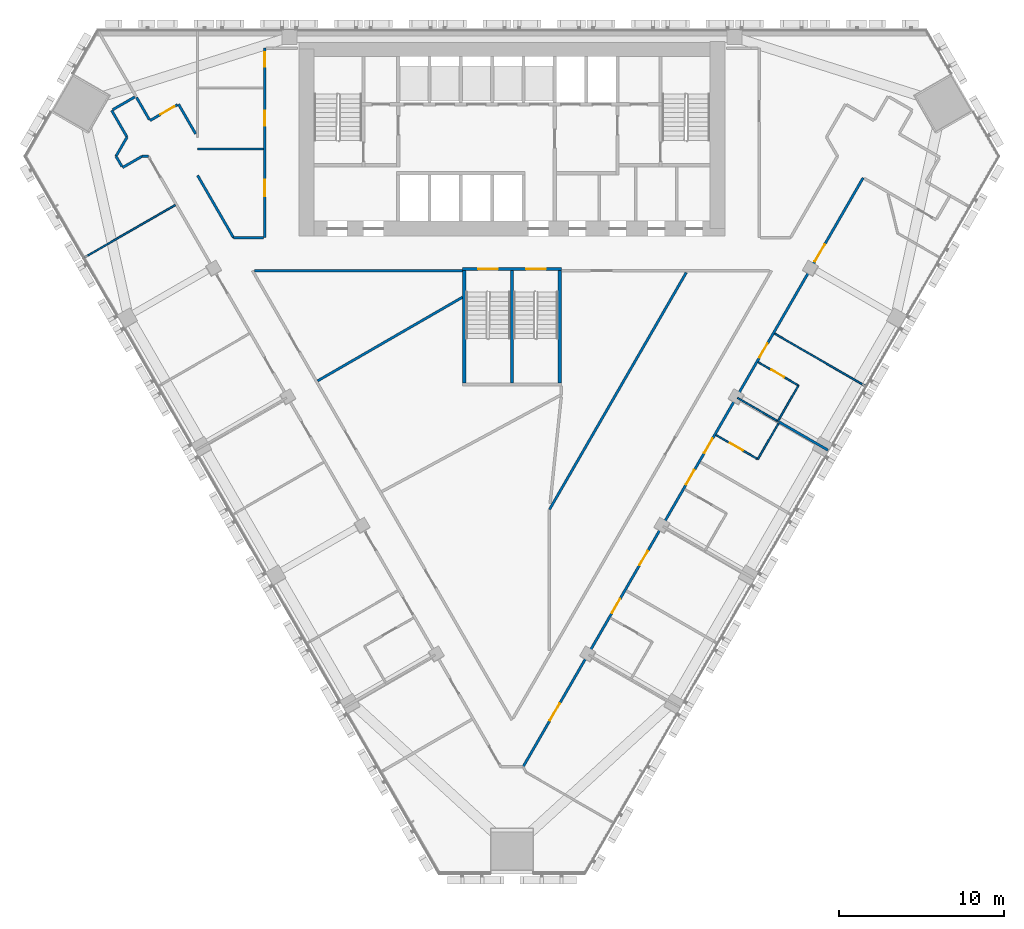
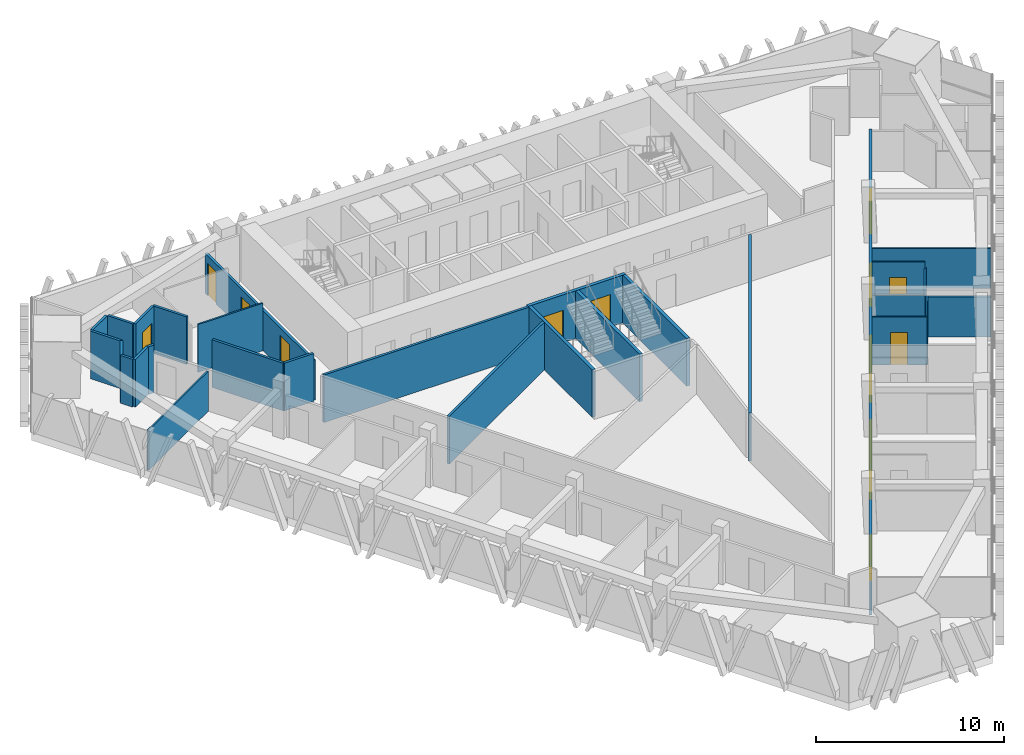
# One storey, part 10 of 16: 29 walls, 15 doors, 15 openings.
"""IFC4 building model written with IfcOpenShell, lengths in metres."""

from ifc_helpers import new_model, si_unit, direction, frame, frame_2d, origin, place, context, subcontext, project, spatial, rectangle, extrude, material, layer, layer_set, type_object, element, fill, save


model = new_model("IFC4")

# Units and contexts
model_context = context("Model", 3, precision=1e-05, world=origin(), true_north=direction((0.0, 1.0)))
body_context = subcontext(model_context, "Body", "Model", "MODEL_VIEW")
ifc_project = project(units=[si_unit("LENGTHUNIT", "METRE"), si_unit("AREAUNIT", "SQUARE_METRE"), si_unit("VOLUMEUNIT", "CUBIC_METRE"), si_unit("PLANEANGLEUNIT", "RADIAN"), si_unit("MASSUNIT", "GRAM", prefix="KILO")], contexts=[model_context])

# Site, building, storey
site_placement = place(None, origin())
site = spatial("IfcSite", under=ifc_project, at=site_placement, CompositionType="ELEMENT")
building_placement = place(site_placement, origin())
building = spatial("IfcBuilding", under=site, at=building_placement, Name="Altiplano Prism Tower", CompositionType="ELEMENT")
storey_placement = place(building_placement, frame((0.0, 0.0, 81.0)))
storey = spatial("IfcBuildingStorey", under=building, at=storey_placement, Name="L20", CompositionType="ELEMENT", Elevation=81.0)

# Wall
ifc_material_1 = material(Name="Plasterboard on steel stud", Category="steel")
ifc_layer_1 = layer(ifc_material_1, 0.10009765625)
ifc_layer_set_1 = layer_set([ifc_layer_1], Name="Plasterboard on steel stud")
wall_type_1 = type_object("IfcWallType", Name="Partition 100 unit", PredefinedType="PARTITIONING", material=ifc_layer_set_1)
wall_1_placement = place(storey_placement, frame((101.168212890625, 81.160400390625, 0.0), z_axis=(0.0, 0.0, 1.0), x_axis=(-0.500048846702, -0.865997200291, 0.0)))
element("IfcWall", 1, at=wall_1_placement, inside=storey, type_object=wall_type_1, Name="Partition P02 L20 065", PredefinedType="PARTITIONING", context=body_context, shape_type="SweptSolid", body=[
    extrude(rectangle(XDim=2.525146484375, YDim=0.10009765625, at=frame_2d((1.2626953125, 0.0))), origin(), (0.0, 0.0, 1.0), 2.699951171875),
])

# Wall, opening, door
wall_2_placement = place(storey_placement, frame((99.905517578125, 78.9736328125, 0.0), z_axis=(0.0, 0.0, 1.0), x_axis=(-0.866025730634, 0.499999433879, 0.0)))
wall_2 = element("IfcWall", 2, at=wall_2_placement, inside=storey, type_object=wall_type_1, Name="Partition P02 L20 066", PredefinedType="PARTITIONING", context=body_context, shape_type="SweptSolid", body=[
    extrude(rectangle(XDim=2.9248046875, YDim=0.10009765625, at=frame_2d((1.46240234375, 0.0))), origin(), (0.0, 0.0, 1.0), 3.10009765625),
])
opening_1_placement = place(wall_2_placement, frame((1.050048828125, 0.0, 0.0)))
opening_1 = element("IfcOpeningElement", 3, at=opening_1_placement, cuts=wall_2, Name="Opening D0774", PredefinedType="OPENING", context=body_context, shape_type="SweptSolid", body=[
    extrude(rectangle(XDim=0.89990234375, YDim=2.10009765625, at=frame_2d((0.449951171875, 1.050048828125))), frame((0.0, 0.060546875, 0.0), z_axis=(0.0, -1.0, 0.0), x_axis=(1.0, 0.0, 0.0)), (0.0, 0.0, 1.0), 0.12109375),
])
ifc_material_2 = material(Name="Timber", Category="wood")
door_type_1 = type_object("IfcDoorType", Name="Ensuite door 900 x 2100", OperationType="NOTDEFINED", PredefinedType="NOTDEFINED", material=ifc_material_2)
door_1_placement = place(opening_1_placement, origin())
door_1 = element("IfcDoor", 4, at=door_1_placement, inside=storey, type_object=door_type_1, Name="Door D0774", OperationType="SINGLE_SWING_LEFT", OverallHeight=2.10009765625, OverallWidth=0.89990234375, PredefinedType="NOTDEFINED", context=body_context, shape_type="SweptSolid", body=[
    extrude(rectangle(XDim=0.89990234375, YDim=2.10009765625, at=frame_2d((0.449951171875, 1.050048828125))), frame((0.0, 0.02490234375, 0.0), z_axis=(0.0, -1.0, 0.0), x_axis=(1.0, 0.0, 0.0)), (0.0, 0.0, 1.0), 0.050048828125),
])
fill(opening_1, door_1)

wall_3_placement = place(storey_placement, frame((99.92236328125, 84.852783203125, 0.0), z_axis=(0.0, 0.0, 1.0), x_axis=(0.866048868473, -0.499959355765, 0.0)))
wall_3 = element("IfcWall", 5, at=wall_3_placement, inside=storey, type_object=wall_type_1, Name="Partition P02 L20 069", PredefinedType="PARTITIONING", context=body_context, shape_type="SweptSolid", body=[
    extrude(rectangle(XDim=2.824951171875, YDim=0.10009765625, at=frame_2d((1.41259765625, 0.0))), origin(), (0.0, 0.0, 1.0), 3.10009765625),
])
opening_2_placement = place(wall_3_placement, frame((0.925048828125, 0.0, 0.0)))
opening_2 = element("IfcOpeningElement", 6, at=opening_2_placement, cuts=wall_3, Name="Opening D0776", PredefinedType="OPENING", context=body_context, shape_type="SweptSolid", body=[
    extrude(rectangle(XDim=0.89990234375, YDim=2.10009765625, at=frame_2d((0.449951171875, 1.050048828125))), frame((0.0, 0.060546875, 0.0), z_axis=(0.0, -1.0, 0.0), x_axis=(1.0, 0.0, 0.0)), (0.0, 0.0, 1.0), 0.12109375),
])
door_2_placement = place(opening_2_placement, origin())
door_2 = element("IfcDoor", 7, at=door_2_placement, inside=storey, type_object=door_type_1, Name="Door D0776", OperationType="SINGLE_SWING_RIGHT", OverallHeight=2.10009765625, OverallWidth=0.89990234375, PredefinedType="NOTDEFINED", context=body_context, shape_type="SweptSolid", body=[
    extrude(rectangle(XDim=0.89990234375, YDim=2.10009765625, at=frame_2d((0.449951171875, 1.050048828125))), frame((0.0, 0.02490234375, 0.0), z_axis=(0.0, -1.0, 0.0), x_axis=(1.0, 0.0, 0.0)), (0.0, 0.0, 1.0), 0.050048828125),
])
fill(opening_2, door_2)

# Walls
wall_4_placement = place(storey_placement, frame((102.368896484375, 83.4404296875, 0.0), z_axis=(0.0, 0.0, 1.0), x_axis=(-0.500004234368, -0.866022959057, 0.0)))
element("IfcWall", 8, at=wall_4_placement, inside=storey, type_object=wall_type_1, Name="Partition P02 L20 070", PredefinedType="PARTITIONING", context=body_context, shape_type="SweptSolid", body=[
    extrude(rectangle(XDim=2.5, YDim=0.10009765625, at=frame_2d((1.25, 0.0))), origin(), (0.0, 0.0, 1.0), 2.699951171875),
])
ifc_layer_2 = layer(ifc_material_1, 0.10009765625)
ifc_layer_set_2 = layer_set([ifc_layer_2], Name="Plasterboard on steel stud")
wall_type_2 = type_object("IfcWallType", Name="Partition 100 wet", PredefinedType="PARTITIONING", material=ifc_layer_set_2)
wall_5_placement = place(storey_placement, frame((65.93603515625, 97.781005859375, 0.0), z_axis=(0.0, 0.0, 1.0), x_axis=(1.0, 0.0, 0.0)))
element("IfcWall", 9, at=wall_5_placement, inside=storey, type_object=wall_type_2, Name="Partition P03 L20 040", PredefinedType="PARTITIONING", context=body_context, shape_type="SweptSolid", body=[
    extrude(rectangle(XDim=3.989013671875, YDim=0.10009765625, at=frame_2d((1.99462890625, 0.0))), origin(), (0.0, 0.0, 1.0), 3.10009765625),
])
wall_6_placement = place(storey_placement, frame((59.08251953125, 91.20654296875, 0.0), z_axis=(0.0, 0.0, 1.0), x_axis=(0.866025401434, 0.500000004071, 0.0)))
element("IfcWall", 10, at=wall_6_placement, inside=storey, type_object=wall_type_2, Name="Partition P03 L20 043", PredefinedType="PARTITIONING", context=body_context, shape_type="SweptSolid", body=[
    extrude(rectangle(XDim=6.34521484375, YDim=0.10009765625, at=frame_2d((3.172607421875, 0.0))), origin(), (0.0, 0.0, 1.0), 2.60009765625),
])
wall_7_placement = place(storey_placement, frame((101.118896484375, 81.275390625, 0.0), z_axis=(0.0, 0.0, 1.0), x_axis=(-0.866048868473, 0.499959355765, 0.0)))
element("IfcWall", 11, at=wall_7_placement, inside=storey, type_object=wall_type_2, Name="Partition P03 L20 068", PredefinedType="PARTITIONING", context=body_context, shape_type="SweptSolid", body=[
    extrude(rectangle(XDim=2.824951171875, YDim=0.10009765625, at=frame_2d((1.41259765625, 0.0))), origin(), (0.0, 0.0, 1.0), 2.699951171875),
])
wall_8_placement = place(storey_placement, frame((106.41748046875, 83.412353515625, 0.0), z_axis=(0.0, 0.0, 1.0), x_axis=(-0.866025401434, 0.500000004071, 0.0)))
element("IfcWall", 12, at=wall_8_placement, inside=storey, type_object=wall_type_2, Name="Partition P03 L20 071", PredefinedType="PARTITIONING", context=body_context, shape_type="SweptSolid", body=[
    extrude(rectangle(XDim=6.34521484375, YDim=0.10009765625, at=frame_2d((3.172607421875, 0.0))), origin(), (0.0, 0.0, 1.0), 2.60009765625),
])

# Wall, openings, doors
ifc_layer_3 = layer(ifc_material_1, 0.14990234375)
ifc_layer_set_3 = layer_set([ifc_layer_3], Name="Plasterboard on steel stud")
wall_type_3 = type_object("IfcWallType", Name="Partition 150 corridor", PredefinedType="PARTITIONING", material=ifc_layer_set_3)
wall_9_placement = place(storey_placement, frame((70.0, 103.89990234375, 0.0), z_axis=(0.0, 0.0, 1.0), x_axis=(0.0, -1.0, 0.0)))
wall_9 = element("IfcWall", 13, at=wall_9_placement, inside=storey, type_object=wall_type_3, Name="Partition P06 L20 003", PredefinedType="PARTITIONING", context=body_context, shape_type="SweptSolid", body=[
    extrude(rectangle(XDim=11.5, YDim=0.14990234375, at=frame_2d((5.75, 0.0))), origin(), (0.0, 0.0, 1.0), 2.60009765625),
])
opening_3_placement = place(wall_9_placement, frame((3.81689453125, 0.0, 0.0)))
opening_3 = element("IfcOpeningElement", 14, at=opening_3_placement, cuts=wall_9, Name="Opening D0754", PredefinedType="OPENING", context=body_context, shape_type="SweptSolid", body=[
    extrude(rectangle(XDim=0.89990234375, YDim=2.10009765625, at=frame_2d((0.449951171875, 1.050048828125))), frame((0.0, 0.08544921875, 0.0), z_axis=(0.0, -1.0, 0.0), x_axis=(1.0, 0.0, 0.0)), (0.0, 0.0, 1.0), 0.1708984375),
])
opening_4_placement = place(wall_9_placement, frame((0.24609375, 0.0, 0.0)))
opening_4 = element("IfcOpeningElement", 15, at=opening_4_placement, cuts=wall_9, Name="Opening D0755", PredefinedType="OPENING", context=body_context, shape_type="SweptSolid", body=[
    extrude(rectangle(XDim=0.89990234375, YDim=2.10009765625, at=frame_2d((0.449951171875, 1.050048828125))), frame((0.0, 0.08544921875, 0.0), z_axis=(0.0, -1.0, 0.0), x_axis=(1.0, 0.0, 0.0)), (0.0, 0.0, 1.0), 0.1708984375),
])
opening_5_placement = place(wall_9_placement, frame((7.97802734375, 0.0, 0.0)))
opening_5 = element("IfcOpeningElement", 16, at=opening_5_placement, cuts=wall_9, Name="Opening D0756", PredefinedType="OPENING", context=body_context, shape_type="SweptSolid", body=[
    extrude(rectangle(XDim=1.0, YDim=2.10009765625, at=frame_2d((0.5, 1.050048828125))), frame((0.0, 0.08544921875, 0.0), z_axis=(0.0, -1.0, 0.0), x_axis=(1.0, 0.0, 0.0)), (0.0, 0.0, 1.0), 0.1708984375),
])
door_type_2 = type_object("IfcDoorType", Name="Store door 1000 x 2100", OperationType="NOTDEFINED", PredefinedType="NOTDEFINED", material=ifc_material_2)
door_3_placement = place(opening_5_placement, origin())
door_3 = element("IfcDoor", 17, at=door_3_placement, inside=storey, type_object=door_type_2, Name="Door D0756", OperationType="SINGLE_SWING_RIGHT", OverallHeight=2.10009765625, OverallWidth=1.0, PredefinedType="NOTDEFINED", context=body_context, shape_type="SweptSolid", body=[
    extrude(rectangle(XDim=1.0, YDim=2.10009765625, at=frame_2d((0.5, 1.050048828125))), frame((0.0, 0.02490234375, 0.0), z_axis=(0.0, -1.0, 0.0), x_axis=(1.0, 0.0, 0.0)), (0.0, 0.0, 1.0), 0.050048828125),
])
fill(opening_5, door_3)
door_type_3 = type_object("IfcDoorType", Name="Toilet door 900 x 2100", OperationType="NOTDEFINED", PredefinedType="NOTDEFINED", material=ifc_material_2)
door_4_placement = place(opening_3_placement, origin())
door_4 = element("IfcDoor", 18, at=door_4_placement, inside=storey, type_object=door_type_3, Name="Door D0754", OperationType="SINGLE_SWING_RIGHT", OverallHeight=2.10009765625, OverallWidth=0.89990234375, PredefinedType="NOTDEFINED", context=body_context, shape_type="SweptSolid", body=[
    extrude(rectangle(XDim=0.89990234375, YDim=2.10009765625, at=frame_2d((0.449951171875, 1.050048828125))), frame((0.0, 0.02490234375, 0.0), z_axis=(0.0, -1.0, 0.0), x_axis=(1.0, 0.0, 0.0)), (0.0, 0.0, 1.0), 0.050048828125),
])
fill(opening_3, door_4)
door_5_placement = place(opening_4_placement, origin())
door_5 = element("IfcDoor", 19, at=door_5_placement, inside=storey, type_object=door_type_3, Name="Door D0755", OperationType="SINGLE_SWING_LEFT", OverallHeight=2.10009765625, OverallWidth=0.89990234375, PredefinedType="NOTDEFINED", context=body_context, shape_type="SweptSolid", body=[
    extrude(rectangle(XDim=0.89990234375, YDim=2.10009765625, at=frame_2d((0.449951171875, 1.050048828125))), frame((0.0, 0.02490234375, 0.0), z_axis=(0.0, -1.0, 0.0), x_axis=(1.0, 0.0, 0.0)), (0.0, 0.0, 1.0), 0.050048828125),
])
fill(opening_4, door_5)

# Walls
wall_10_placement = place(storey_placement, frame((69.925048828125, 92.39990234375, 0.0), z_axis=(0.0, 0.0, 1.0), x_axis=(-1.0, 0.0, 0.0)))
element("IfcWall", 20, at=wall_10_placement, inside=storey, type_object=wall_type_3, Name="Partition P06 L20 004", PredefinedType="PARTITIONING", context=body_context, shape_type="SweptSolid", body=[
    extrude(rectangle(XDim=1.808837890625, YDim=0.14990234375, at=frame_2d((0.904296875, 0.0))), origin(), (0.0, 0.0, 1.0), 3.10009765625),
])
wall_11_placement = place(storey_placement, frame((68.1162109375, 92.39990234375, 0.0), z_axis=(0.0, 0.0, 1.0), x_axis=(-0.499787053524, 0.866148313587, 0.0)))
element("IfcWall", 21, at=wall_11_placement, inside=storey, type_object=wall_type_3, Name="Partition P06 L20 005", PredefinedType="PARTITIONING", context=body_context, shape_type="SweptSolid", body=[
    extrude(rectangle(XDim=4.3623046875, YDim=0.14990234375, at=frame_2d((2.18115234375, 0.0))), origin(), (0.0, 0.0, 1.0), 3.10009765625),
])
wall_12_placement = place(storey_placement, frame((65.8193359375, 98.698974609375, 0.0), z_axis=(0.0, 0.0, 1.0), x_axis=(-0.499990056298, 0.866031144707, 0.0)))
element("IfcWall", 22, at=wall_12_placement, inside=storey, type_object=wall_type_3, Name="Partition P06 L20 006", PredefinedType="PARTITIONING", context=body_context, shape_type="SweptSolid", body=[
    extrude(rectangle(XDim=2.07958984375, YDim=0.14990234375, at=frame_2d((1.039794921875, 0.0))), origin(), (0.0, 0.0, 1.0), 3.10009765625),
])

# Wall, opening, door
wall_13_placement = place(storey_placement, frame((64.714599609375, 100.46240234375, 0.0), z_axis=(0.0, 0.0, 1.0), x_axis=(-0.866033512162, -0.499985955615, 0.0)))
wall_13 = element("IfcWall", 23, at=wall_13_placement, inside=storey, type_object=wall_type_3, Name="Partition P06 L20 007", PredefinedType="PARTITIONING", context=body_context, shape_type="SweptSolid", body=[
    extrude(rectangle(XDim=1.9248046875, YDim=0.14990234375, at=frame_2d((0.96240234375, 0.0))), origin(), (0.0, 0.0, 1.0), 3.10009765625),
])
opening_6_placement = place(wall_13_placement, frame((0.199951171875, 0.0, 0.0)))
opening_6 = element("IfcOpeningElement", 24, at=opening_6_placement, cuts=wall_13, Name="Opening D0757", PredefinedType="OPENING", context=body_context, shape_type="SweptSolid", body=[
    extrude(rectangle(XDim=1.0, YDim=2.10009765625, at=frame_2d((0.5, 1.050048828125))), frame((0.0, 0.08544921875, 0.0), z_axis=(0.0, -1.0, 0.0), x_axis=(1.0, 0.0, 0.0)), (0.0, 0.0, 1.0), 0.1708984375),
])
door_6_placement = place(opening_6_placement, origin())
door_6 = element("IfcDoor", 25, at=door_6_placement, inside=storey, type_object=door_type_2, Name="Door D0757", OperationType="SINGLE_SWING_LEFT", OverallHeight=2.10009765625, OverallWidth=1.0, PredefinedType="NOTDEFINED", context=body_context, shape_type="SweptSolid", body=[
    extrude(rectangle(XDim=1.0, YDim=2.10009765625, at=frame_2d((0.5, 1.050048828125))), frame((0.0, 0.02490234375, 0.0), z_axis=(0.0, -1.0, 0.0), x_axis=(1.0, 0.0, 0.0)), (0.0, 0.0, 1.0), 0.050048828125),
])
fill(opening_6, door_6)

# Walls
wall_14_placement = place(storey_placement, frame((63.010009765625, 99.56494140625, 0.0), z_axis=(0.0, 0.0, 1.0), x_axis=(-0.499967891604, 0.866043940782, 0.0)))
element("IfcWall", 26, at=wall_14_placement, inside=storey, type_object=wall_type_3, Name="Partition P06 L20 008", PredefinedType="PARTITIONING", context=body_context, shape_type="SweptSolid", body=[
    extrude(rectangle(XDim=1.5498046875, YDim=0.14990234375, at=frame_2d((0.77490234375, 0.0))), origin(), (0.0, 0.0, 1.0), 3.10009765625),
])
wall_15_placement = place(storey_placement, frame((62.132568359375, 100.934814453125, 0.0), z_axis=(0.0, 0.0, 1.0), x_axis=(-0.865975732936, -0.500086022567, 0.0)))
element("IfcWall", 27, at=wall_15_placement, inside=storey, type_object=wall_type_3, Name="Partition P06 L20 009", PredefinedType="PARTITIONING", context=body_context, shape_type="SweptSolid", body=[
    extrude(rectangle(XDim=1.550048828125, YDim=0.14990234375, at=frame_2d((0.77490234375, 0.0))), origin(), (0.0, 0.0, 1.0), 3.10009765625),
])
wall_16_placement = place(storey_placement, frame((60.725341796875, 100.122314453125, 0.0), z_axis=(0.0, 0.0, 1.0), x_axis=(0.499951854219, -0.86605319898, 0.0)))
element("IfcWall", 28, at=wall_16_placement, inside=storey, type_object=wall_type_3, Name="Partition P06 L20 010", PredefinedType="PARTITIONING", context=body_context, shape_type="SweptSolid", body=[
    extrude(rectangle(XDim=1.873291015625, YDim=0.14990234375, at=frame_2d((0.9365234375, 0.0))), origin(), (0.0, 0.0, 1.0), 3.10009765625),
])
wall_17_placement = place(storey_placement, frame((61.661865234375, 98.5, 0.0), z_axis=(0.0, 0.0, 1.0), x_axis=(-0.499980071345, -0.866036909293, 0.0)))
element("IfcWall", 29, at=wall_17_placement, inside=storey, type_object=wall_type_3, Name="Partition P06 L20 011", PredefinedType="PARTITIONING", context=body_context, shape_type="SweptSolid", body=[
    extrude(rectangle(XDim=1.33984375, YDim=0.14990234375, at=frame_2d((0.669921875, 0.0))), origin(), (0.0, 0.0, 1.0), 3.10009765625),
])
wall_18_placement = place(storey_placement, frame((60.991943359375, 97.339599609375, 0.0), z_axis=(0.0, 0.0, 1.0), x_axis=(0.500016891966, -0.866015650984, 0.0)))
element("IfcWall", 30, at=wall_18_placement, inside=storey, type_object=wall_type_3, Name="Partition P06 L20 012", PredefinedType="PARTITIONING", context=body_context, shape_type="SweptSolid", body=[
    extrude(rectangle(XDim=0.7177734375, YDim=0.14990234375, at=frame_2d((0.35888671875, 0.0))), origin(), (0.0, 0.0, 1.0), 3.10009765625),
])
wall_19_placement = place(storey_placement, frame((61.38818359375, 96.653076171875, 0.0), z_axis=(0.0, 0.0, 1.0), x_axis=(0.866046433186, 0.499963574239, 0.0)))
element("IfcWall", 31, at=wall_19_placement, inside=storey, type_object=wall_type_3, Name="Partition P06 L20 013", PredefinedType="PARTITIONING", context=body_context, shape_type="SweptSolid", body=[
    extrude(rectangle(XDim=1.373046875, YDim=0.14990234375, at=frame_2d((0.6865234375, 0.0))), origin(), (0.0, 0.0, 1.0), 3.10009765625),
])
wall_20_placement = place(storey_placement, frame((62.577392578125, 97.339599609375, 0.0), z_axis=(0.0, 0.0, 1.0), x_axis=(1.0, 0.0, 0.0)))
element("IfcWall", 32, at=wall_20_placement, inside=storey, type_object=wall_type_3, Name="Partition P06 L20 014", PredefinedType="PARTITIONING", context=body_context, shape_type="SweptSolid", body=[
    extrude(rectangle(XDim=0.37744140625, YDim=0.14990234375, at=frame_2d((0.188720703125, 0.0))), origin(), (0.0, 0.0, 1.0), 3.10009765625),
])

# Wall, openings, doors
wall_21_placement = place(storey_placement, frame((85.669921875, 60.316650390625, 0.0), z_axis=(0.0, 0.0, 1.0), x_axis=(0.499998839017, 0.866026074077, 0.0)))
wall_21 = element("IfcWall", 33, at=wall_21_placement, inside=storey, type_object=wall_type_3, Name="Partition P06 L20 017", PredefinedType="PARTITIONING", context=body_context, shape_type="SweptSolid", body=[
    extrude(rectangle(XDim=41.2392578125, YDim=0.14990234375, at=frame_2d((20.61962890625, 0.0))), origin(), (0.0, 0.0, 1.0), 2.699951171875),
])
opening_7_placement = place(wall_21_placement, frame((3.24609375, 0.0, 0.0)))
opening_7 = element("IfcOpeningElement", 34, at=opening_7_placement, cuts=wall_21, Name="Opening D0767", PredefinedType="OPENING", context=body_context, shape_type="SweptSolid", body=[
    extrude(rectangle(XDim=1.199951171875, YDim=2.10009765625, at=frame_2d((0.60009765625, 1.050048828125))), frame((0.0, 0.08544921875, 0.0), z_axis=(0.0, -1.0, 0.0), x_axis=(1.0, 0.0, 0.0)), (0.0, 0.0, 1.0), 0.1708984375),
])
opening_8_placement = place(wall_21_placement, frame((10.77099609375, 0.0, 0.0)))
opening_8 = element("IfcOpeningElement", 35, at=opening_8_placement, cuts=wall_21, Name="Opening D0768", PredefinedType="OPENING", context=body_context, shape_type="SweptSolid", body=[
    extrude(rectangle(XDim=1.0, YDim=2.10009765625, at=frame_2d((0.5, 1.050048828125))), frame((0.0, 0.08544921875, 0.0), z_axis=(0.0, -1.0, 0.0), x_axis=(1.0, 0.0, 0.0)), (0.0, 0.0, 1.0), 0.1708984375),
])
opening_9_placement = place(wall_21_placement, frame((14.125, 0.0, 0.0)))
opening_9 = element("IfcOpeningElement", 36, at=opening_9_placement, cuts=wall_21, Name="Opening D0770", PredefinedType="OPENING", context=body_context, shape_type="SweptSolid", body=[
    extrude(rectangle(XDim=1.0, YDim=2.10009765625, at=frame_2d((0.5, 1.050048828125))), frame((0.0, 0.08544921875, 0.0), z_axis=(0.0, -1.0, 0.0), x_axis=(1.0, 0.0, 0.0)), (0.0, 0.0, 1.0), 0.1708984375),
])
opening_10_placement = place(wall_21_placement, frame((19.77099609375, 0.0, 0.0)))
opening_10 = element("IfcOpeningElement", 37, at=opening_10_placement, cuts=wall_21, Name="Opening D0771", PredefinedType="OPENING", context=body_context, shape_type="SweptSolid", body=[
    extrude(rectangle(XDim=1.0, YDim=2.10009765625, at=frame_2d((0.5, 1.050048828125))), frame((0.0, 0.08544921875, 0.0), z_axis=(0.0, -1.0, 0.0), x_axis=(1.0, 0.0, 0.0)), (0.0, 0.0, 1.0), 0.1708984375),
])
opening_11_placement = place(wall_21_placement, frame((21.97998046875, 0.0, 0.0)))
opening_11 = element("IfcOpeningElement", 38, at=opening_11_placement, cuts=wall_21, Name="Opening D0773", PredefinedType="OPENING", context=body_context, shape_type="SweptSolid", body=[
    extrude(rectangle(XDim=1.0, YDim=2.10009765625, at=frame_2d((0.5, 1.050048828125))), frame((0.0, 0.08544921875, 0.0), z_axis=(0.0, -1.0, 0.0), x_axis=(1.0, 0.0, 0.0)), (0.0, 0.0, 1.0), 0.1708984375),
])
opening_12_placement = place(wall_21_placement, frame((28.655029296875, 0.0, 0.0)))
opening_12 = element("IfcOpeningElement", 39, at=opening_12_placement, cuts=wall_21, Name="Opening D0775", PredefinedType="OPENING", context=body_context, shape_type="SweptSolid", body=[
    extrude(rectangle(XDim=1.0, YDim=2.10009765625, at=frame_2d((0.5, 1.050048828125))), frame((0.0, 0.08544921875, 0.0), z_axis=(0.0, -1.0, 0.0), x_axis=(1.0, 0.0, 0.0)), (0.0, 0.0, 1.0), 0.1708984375),
])
opening_13_placement = place(wall_21_placement, frame((35.382080078125, 0.0, 0.0)))
opening_13 = element("IfcOpeningElement", 40, at=opening_13_placement, cuts=wall_21, Name="Opening D0777", PredefinedType="OPENING", context=body_context, shape_type="SweptSolid", body=[
    extrude(rectangle(XDim=1.199951171875, YDim=2.10009765625, at=frame_2d((0.60009765625, 1.050048828125))), frame((0.0, 0.08544921875, 0.0), z_axis=(0.0, -1.0, 0.0), x_axis=(1.0, 0.0, 0.0)), (0.0, 0.0, 1.0), 0.1708984375),
])
door_type_4 = type_object("IfcDoorType", Name="Bedroom entrance door 1000 x 2100", OperationType="NOTDEFINED", PredefinedType="NOTDEFINED", material=ifc_material_2)
door_7_placement = place(opening_8_placement, origin())
door_7 = element("IfcDoor", 41, at=door_7_placement, inside=storey, type_object=door_type_4, Name="Door D0768", OperationType="SINGLE_SWING_LEFT", OverallHeight=2.10009765625, OverallWidth=1.0, PredefinedType="NOTDEFINED", context=body_context, shape_type="SweptSolid", body=[
    extrude(rectangle(XDim=1.0, YDim=2.10009765625, at=frame_2d((0.5, 1.050048828125))), frame((0.0, 0.02490234375, 0.0), z_axis=(0.0, -1.0, 0.0), x_axis=(1.0, 0.0, 0.0)), (0.0, 0.0, 1.0), 0.050048828125),
])
fill(opening_8, door_7)
door_8_placement = place(opening_10_placement, origin())
door_8 = element("IfcDoor", 42, at=door_8_placement, inside=storey, type_object=door_type_4, Name="Door D0771", OperationType="SINGLE_SWING_LEFT", OverallHeight=2.10009765625, OverallWidth=1.0, PredefinedType="NOTDEFINED", context=body_context, shape_type="SweptSolid", body=[
    extrude(rectangle(XDim=1.0, YDim=2.10009765625, at=frame_2d((0.5, 1.050048828125))), frame((0.0, 0.02490234375, 0.0), z_axis=(0.0, -1.0, 0.0), x_axis=(1.0, 0.0, 0.0)), (0.0, 0.0, 1.0), 0.050048828125),
])
fill(opening_10, door_8)
door_9_placement = place(opening_11_placement, origin())
door_9 = element("IfcDoor", 43, at=door_9_placement, inside=storey, type_object=door_type_4, Name="Door D0773", OperationType="SINGLE_SWING_LEFT", OverallHeight=2.10009765625, OverallWidth=1.0, PredefinedType="NOTDEFINED", context=body_context, shape_type="SweptSolid", body=[
    extrude(rectangle(XDim=1.0, YDim=2.10009765625, at=frame_2d((0.5, 1.050048828125))), frame((0.0, 0.02490234375, 0.0), z_axis=(0.0, -1.0, 0.0), x_axis=(1.0, 0.0, 0.0)), (0.0, 0.0, 1.0), 0.050048828125),
])
fill(opening_11, door_9)
door_10_placement = place(opening_12_placement, origin())
door_10 = element("IfcDoor", 44, at=door_10_placement, inside=storey, type_object=door_type_4, Name="Door D0775", OperationType="SINGLE_SWING_LEFT", OverallHeight=2.10009765625, OverallWidth=1.0, PredefinedType="NOTDEFINED", context=body_context, shape_type="SweptSolid", body=[
    extrude(rectangle(XDim=1.0, YDim=2.10009765625, at=frame_2d((0.5, 1.050048828125))), frame((0.0, 0.02490234375, 0.0), z_axis=(0.0, -1.0, 0.0), x_axis=(1.0, 0.0, 0.0)), (0.0, 0.0, 1.0), 0.050048828125),
])
fill(opening_12, door_10)
door_type_5 = type_object("IfcDoorType", Name="Room door 1000 x 2100", OperationType="NOTDEFINED", PredefinedType="NOTDEFINED", material=ifc_material_2)
door_11_placement = place(opening_9_placement, origin())
door_11 = element("IfcDoor", 45, at=door_11_placement, inside=storey, type_object=door_type_5, Name="Door D0770", OperationType="SINGLE_SWING_LEFT", OverallHeight=2.10009765625, OverallWidth=1.0, PredefinedType="NOTDEFINED", context=body_context, shape_type="SweptSolid", body=[
    extrude(rectangle(XDim=1.0, YDim=2.10009765625, at=frame_2d((0.5, 1.050048828125))), frame((0.0, 0.02490234375, 0.0), z_axis=(0.0, -1.0, 0.0), x_axis=(1.0, 0.0, 0.0)), (0.0, 0.0, 1.0), 0.050048828125),
])
fill(opening_9, door_11)
door_type_6 = type_object("IfcDoorType", Name="Shared room door 1200 x 2100", OperationType="NOTDEFINED", PredefinedType="NOTDEFINED", material=ifc_material_2)
door_12_placement = place(opening_7_placement, origin())
door_12 = element("IfcDoor", 46, at=door_12_placement, inside=storey, type_object=door_type_6, Name="Door D0767", OperationType="SINGLE_SWING_RIGHT", OverallHeight=2.10009765625, OverallWidth=1.199951171875, PredefinedType="NOTDEFINED", context=body_context, shape_type="SweptSolid", body=[
    extrude(rectangle(XDim=1.199951171875, YDim=2.10009765625, at=frame_2d((0.60009765625, 1.050048828125))), frame((0.0, 0.02490234375, 0.0), z_axis=(0.0, -1.0, 0.0), x_axis=(1.0, 0.0, 0.0)), (0.0, 0.0, 1.0), 0.050048828125),
])
fill(opening_7, door_12)
door_13_placement = place(opening_13_placement, origin())
door_13 = element("IfcDoor", 47, at=door_13_placement, inside=storey, type_object=door_type_6, Name="Door D0777", OperationType="SINGLE_SWING_LEFT", OverallHeight=2.10009765625, OverallWidth=1.199951171875, PredefinedType="NOTDEFINED", context=body_context, shape_type="SweptSolid", body=[
    extrude(rectangle(XDim=1.199951171875, YDim=2.10009765625, at=frame_2d((0.60009765625, 1.050048828125))), frame((0.0, 0.02490234375, 0.0), z_axis=(0.0, -1.0, 0.0), x_axis=(1.0, 0.0, 0.0)), (0.0, 0.0, 1.0), 0.050048828125),
])
fill(opening_13, door_13)

# Walls
wall_22_placement = place(storey_placement, frame((69.40087890625, 90.39990234375, 0.0), z_axis=(0.0, 0.0, 1.0), x_axis=(1.0, 0.0, 0.0)))
element("IfcWall", 48, at=wall_22_placement, inside=storey, type_object=wall_type_3, Name="Partition P06 L20 038", PredefinedType="PARTITIONING", context=body_context, shape_type="SweptSolid", body=[
    extrude(rectangle(XDim=12.59912109375, YDim=0.14990234375, at=frame_2d((6.299560546875, 0.0))), origin(), (0.0, 0.0, 1.0), 3.10009765625),
])
ifc_layer_4 = layer(ifc_material_1, 0.14990234375)
ifc_layer_set_4 = layer_set([ifc_layer_4], Name="Plasterboard on steel stud")
wall_type_4 = type_object("IfcWallType", Name="Partition 150 party", PredefinedType="PARTITIONING", material=ifc_layer_set_4)
wall_23_placement = place(storey_placement, frame((104.150146484375, 79.525390625, 0.0), z_axis=(0.0, 0.0, 1.0), x_axis=(-0.866038183914, 0.499977863513, 0.0)))
element("IfcWall", 49, at=wall_23_placement, inside=storey, type_object=wall_type_4, Name="Partition P01 L20 067", PredefinedType="PARTITIONING", context=body_context, shape_type="SweptSolid", body=[
    extrude(rectangle(XDim=3.420166015625, YDim=0.14990234375, at=frame_2d((1.7099609375, 0.0))), origin(), (0.0, 0.0, 1.0), 2.60009765625),
])
wall_24_placement = place(storey_placement, frame((95.565673828125, 90.28759765625, 0.0), z_axis=(0.0, 0.0, 1.0), x_axis=(-0.499995550024, -0.866027972964, 0.0)))
element("IfcWall", 50, at=wall_24_placement, inside=storey, type_object=wall_type_4, Name="Partition P01 L20 078", PredefinedType="PARTITIONING", context=body_context, shape_type="SweptSolid", body=[
    extrude(rectangle(XDim=16.586181640625, YDim=0.14990234375, at=frame_2d((8.29296875, 0.0))), origin(), (0.0, 0.0, 1.0), 3.10009765625),
])
wall_25_placement = place(storey_placement, frame((82.0, 88.7939453125, 0.0), z_axis=(0.0, 0.0, 1.0), x_axis=(-0.866017680951, -0.500013376101, 0.0)))
element("IfcWall", 51, at=wall_25_placement, inside=storey, type_object=wall_type_4, Name="Partition P01 L20 080", PredefinedType="PARTITIONING", context=body_context, shape_type="SweptSolid", body=[
    extrude(rectangle(XDim=10.145751953125, YDim=0.14990234375, at=frame_2d((5.07275390625, 0.0))), origin(), (0.0, 0.0, 1.0), 3.10009765625),
])

# Wall, openings, doors
ifc_material_3 = material(Name="Concrete C60/75", Category="concrete")
ifc_layer_5 = layer(ifc_material_3, 0.199951171875)
ifc_layer_set_5 = layer_set([ifc_layer_5], Name="Concrete C60/75")
wall_type_5 = type_object("IfcWallType", Name="Stair wall 200", PredefinedType="SOLIDWALL", material=ifc_layer_set_5)
wall_26_placement = place(storey_placement, frame((82.0, 90.5, 0.0), z_axis=(0.0, 0.0, 1.0), x_axis=(1.0, 0.0, 0.0)))
wall_26 = element("IfcWall", 52, at=wall_26_placement, inside=storey, type_object=wall_type_5, Name="Stair 3 wall north L20", PredefinedType="SOLIDWALL", context=body_context, shape_type="SweptSolid", body=[
    extrude(rectangle(XDim=6.0, YDim=0.199951171875, at=frame_2d((3.0, 0.0))), origin(), (0.0, 0.0, 1.0), 3.10009765625),
])
opening_14_placement = place(wall_26_placement, frame((0.949951171875, 0.0, 0.0)))
opening_14 = element("IfcOpeningElement", 53, at=opening_14_placement, cuts=wall_26, Name="Opening D3962", PredefinedType="OPENING", context=body_context, shape_type="SweptSolid", body=[
    extrude(rectangle(XDim=1.199951171875, YDim=2.10009765625, at=frame_2d((0.60009765625, 1.050048828125))), frame((0.0, 0.1103515625, 0.0), z_axis=(0.0, -1.0, 0.0), x_axis=(1.0, 0.0, 0.0)), (0.0, 0.0, 1.0), 0.220947265625),
])
opening_15_placement = place(wall_26_placement, frame((3.85009765625, 0.0, 0.0)))
opening_15 = element("IfcOpeningElement", 54, at=opening_15_placement, cuts=wall_26, Name="Opening D3963", PredefinedType="OPENING", context=body_context, shape_type="SweptSolid", body=[
    extrude(rectangle(XDim=1.199951171875, YDim=2.10009765625, at=frame_2d((0.60009765625, 1.050048828125))), frame((0.0, 0.1103515625, 0.0), z_axis=(0.0, -1.0, 0.0), x_axis=(1.0, 0.0, 0.0)), (0.0, 0.0, 1.0), 0.220947265625),
])
ifc_material_4 = material(Name="Fire-rated steel door", Category="steel")
door_type_7 = type_object("IfcDoorType", Name="Stair fire door 1200 x 2100", OperationType="NOTDEFINED", PredefinedType="NOTDEFINED", material=ifc_material_4)
door_14_placement = place(opening_14_placement, origin())
door_14 = element("IfcDoor", 55, at=door_14_placement, inside=storey, type_object=door_type_7, Name="Stair fire door D3962", OperationType="SINGLE_SWING_LEFT", OverallHeight=2.10009765625, OverallWidth=1.199951171875, PredefinedType="NOTDEFINED", context=body_context, shape_type="SweptSolid", body=[
    extrude(rectangle(XDim=1.199951171875, YDim=2.10009765625, at=frame_2d((0.60009765625, 1.050048828125))), frame((0.0, 0.02490234375, 0.0), z_axis=(0.0, -1.0, 0.0), x_axis=(1.0, 0.0, 0.0)), (0.0, 0.0, 1.0), 0.050048828125),
])
fill(opening_14, door_14)
door_15_placement = place(opening_15_placement, origin())
door_15 = element("IfcDoor", 56, at=door_15_placement, inside=storey, type_object=door_type_7, Name="Stair fire door D3963", OperationType="SINGLE_SWING_LEFT", OverallHeight=2.10009765625, OverallWidth=1.199951171875, PredefinedType="NOTDEFINED", context=body_context, shape_type="SweptSolid", body=[
    extrude(rectangle(XDim=1.199951171875, YDim=2.10009765625, at=frame_2d((0.60009765625, 1.050048828125))), frame((0.0, 0.02490234375, 0.0), z_axis=(0.0, -1.0, 0.0), x_axis=(1.0, 0.0, 0.0)), (0.0, 0.0, 1.0), 0.050048828125),
])
fill(opening_15, door_15)

# Walls
for number, where, z_axis, x_axis, name in (
    (57, (82.10009765625, 83.60009765625, 0.0), (0.0, 0.0, 1.0), (0.0, 1.0, 0.0), "Stair 3 wall west L20"),
    (58, (87.89990234375, 83.60009765625, 0.0), (0.0, 0.0, 1.0), (0.0, 1.0, 0.0), "Stair 3 wall east L20"),
    (59, (85.0, 83.60009765625, 0.0), (0.0, 0.0, 1.0), (0.0, 1.0, 0.0), "Stair 3 wall divider L20"),
):
    element("IfcWall", number, at=place(storey_placement, frame(where, z_axis=z_axis, x_axis=x_axis)), inside=storey, type_object=wall_type_5, Name=name, PredefinedType="SOLIDWALL", context=body_context, shape_type="SweptSolid", body=[
        extrude(rectangle(XDim=6.7998046875, YDim=0.199951171875, at=frame_2d((3.39990234375, 0.0))), origin(), (0.0, 0.0, 1.0), 3.10009765625),
    ])

save(model, "model.ifc")
